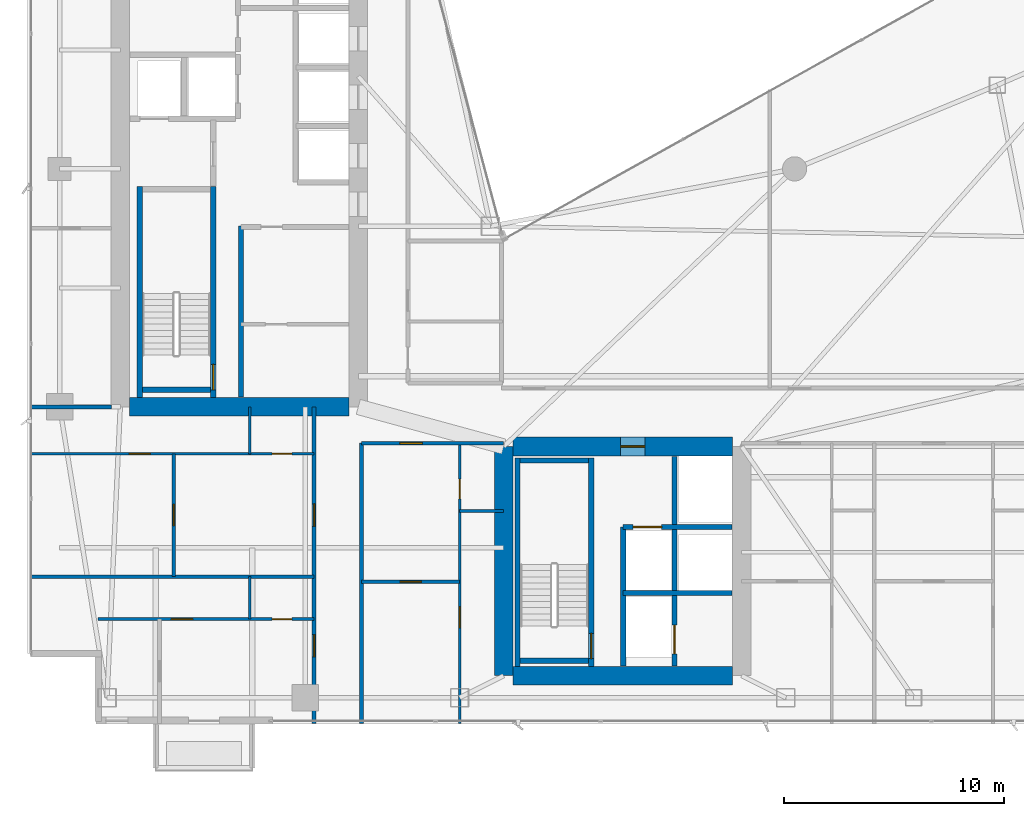
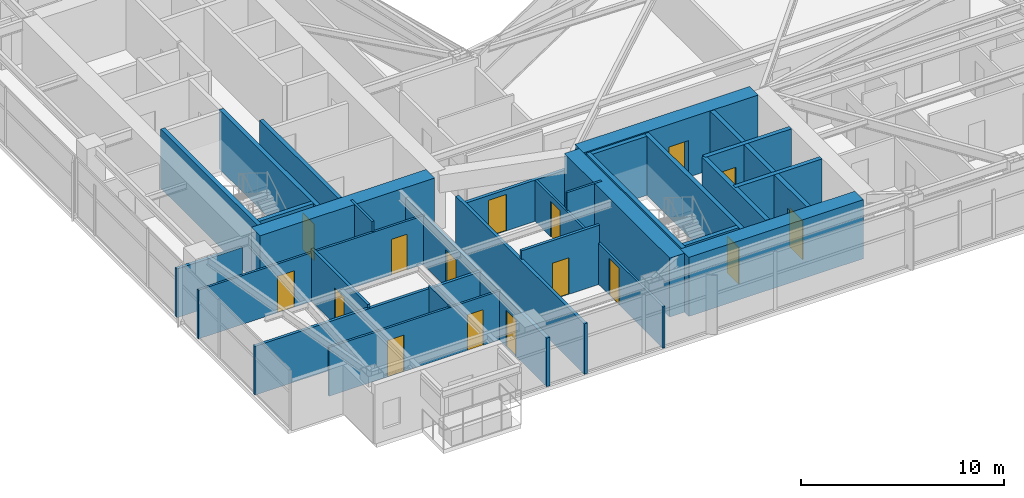
# One storey, part 22 of 28: 29 walls, 16 doors, 16 openings.
"""IFC4 building model written with IfcOpenShell, lengths in metres."""

from ifc_helpers import new_model, si_unit, direction, frame, frame_2d, origin, place, context, subcontext, project, spatial, rectangle, extrude, material, layer, layer_set, type_object, element, fill, save


model = new_model("IFC4")

# Units and contexts
model_context = context("Model", 3, precision=1e-05, world=origin(), true_north=direction((0.0, 1.0)))
body_context = subcontext(model_context, "Body", "Model", "MODEL_VIEW")
ifc_project = project(units=[si_unit("LENGTHUNIT", "METRE"), si_unit("AREAUNIT", "SQUARE_METRE"), si_unit("VOLUMEUNIT", "CUBIC_METRE"), si_unit("PLANEANGLEUNIT", "RADIAN"), si_unit("MASSUNIT", "GRAM", prefix="KILO")], contexts=[model_context])

# Site, building, storey
site_placement = place(None, origin())
site = spatial("IfcSite", under=ifc_project, at=site_placement, CompositionType="ELEMENT")
building_placement = place(site_placement, origin())
building = spatial("IfcBuilding", under=site, at=building_placement, Name="Calvorn Quay Hotel", CompositionType="ELEMENT")
storey_placement = place(building_placement, frame((0.0, 0.0, 152.300048828125)))
storey = spatial("IfcBuildingStorey", under=building, at=storey_placement, Name="L37", CompositionType="ELEMENT", Elevation=152.300048828125)

# Walls
ifc_material_1 = material(Name="Concrete C50", Category="concrete")
ifc_layer_1 = layer(ifc_material_1, 0.85009765625)
ifc_layer_set_1 = layer_set([ifc_layer_1], Name="WL-CORE-850")
wall_type_1 = type_object("IfcWallType", Name="WL-CORE-850", PredefinedType="SHEAR", material=ifc_layer_set_1)
wall_1_placement = place(storey_placement, frame((4.625, 16.800048828125, 0.0), z_axis=(0.0, 0.0, 1.0), x_axis=(1.0, 0.0, 0.0)))
element("IfcWall", 1, at=wall_1_placement, inside=storey, type_object=wall_type_1, Name="West Core Shear Wall S (L37)", PredefinedType="SHEAR", context=body_context, shape_type="SweptSolid", body=[
    extrude(rectangle(XDim=9.949951171875, YDim=0.85009765625, at=frame_2d((4.97509765625, 0.0))), origin(), (0.0, 0.0, 1.0), 3.56005859375),
])
wall_2_placement = place(storey_placement, frame((21.60009765625, 4.60009765625, 0.0), z_axis=(0.0, 0.0, 1.0), x_axis=(0.0, 1.0, 0.0)))
element("IfcWall", 2, at=wall_2_placement, inside=storey, type_object=wall_type_1, Name="East Core Shear Wall W (L37)", PredefinedType="SHEAR", context=body_context, shape_type="SweptSolid", body=[
    extrude(rectangle(XDim=10.39990234375, YDim=0.85009765625, at=frame_2d((5.199951171875, 0.0))), origin(), (0.0, 0.0, 1.0), 3.56005859375),
])

# Wall, opening, door
wall_3_placement = place(storey_placement, frame((22.02490234375, 15.0, 0.0), z_axis=(0.0, 0.0, 1.0), x_axis=(1.0, 0.0, 0.0)))
wall_3 = element("IfcWall", 3, at=wall_3_placement, inside=storey, type_object=wall_type_1, Name="East Core Shear Wall N (L37)", PredefinedType="SHEAR", context=body_context, shape_type="SweptSolid", body=[
    extrude(rectangle(XDim=9.9501953125, YDim=0.85009765625, at=frame_2d((4.97509765625, 0.0))), origin(), (0.0, 0.0, 1.0), 3.56005859375),
])
opening_1_placement = place(wall_3_placement, frame((4.8798828125, 0.0, 0.0)))
opening_1 = element("IfcOpeningElement", 4, at=opening_1_placement, cuts=wall_3, Name="Opening D-L37-FLE", PredefinedType="OPENING", context=body_context, shape_type="SweptSolid", body=[
    extrude(rectangle(XDim=1.10009765625, YDim=2.199951171875, at=frame_2d((0.550048828125, 1.10009765625))), frame((0.0, 0.43505859375, 0.0), z_axis=(0.0, -1.0, 0.0), x_axis=(1.0, 0.0, 0.0)), (0.0, 0.0, 1.0), 0.8701171875),
])
ifc_material_2 = material(Name="Smoke-Sealed Steel Class A Fire Door", Category="steel")
door_type_1 = type_object("IfcDoorType", Name="DR-FFLOBBY-1100", OperationType="NOTDEFINED", PredefinedType="DOOR", material=ifc_material_2)
door_1_placement = place(opening_1_placement, origin())
door_1 = element("IfcDoor", 5, at=door_1_placement, inside=storey, type_object=door_type_1, Name="East Firefighting Lobby Fire Door (L37)", OperationType="SINGLE_SWING_LEFT", OverallHeight=2.199951171875, OverallWidth=1.10009765625, PredefinedType="DOOR", context=body_context, shape_type="SweptSolid", body=[
    extrude(rectangle(XDim=1.10009765625, YDim=2.199951171875, at=frame_2d((0.550048828125, 1.10009765625))), frame((0.0, 0.02490234375, 0.0), z_axis=(0.0, -1.0, 0.0), x_axis=(1.0, 0.0, 0.0)), (0.0, 0.0, 1.0), 0.050048828125),
])
fill(opening_1, door_1)

# Walls
wall_4_placement = place(storey_placement, frame((22.02490234375, 4.60009765625, 0.0), z_axis=(0.0, 0.0, 1.0), x_axis=(1.0, 0.0, 0.0)))
element("IfcWall", 6, at=wall_4_placement, inside=storey, type_object=wall_type_1, Name="East Core Shear Wall S (L37)", PredefinedType="SHEAR", context=body_context, shape_type="SweptSolid", body=[
    extrude(rectangle(XDim=9.9501953125, YDim=0.85009765625, at=frame_2d((4.97509765625, 0.0))), origin(), (0.0, 0.0, 1.0), 3.56005859375),
])
ifc_material_3 = material(Name="Acoustic Fireboard Steel-Stud Partition", Category="steel")
ifc_layer_2 = layer(ifc_material_3, 0.179931640625)
ifc_layer_set_2 = layer_set([ifc_layer_2], Name="WL-CORR-FIRE-180")
wall_type_2 = type_object("IfcWallType", Name="WL-CORR-FIRE-180", PredefinedType="PARTITIONING", material=ifc_layer_set_2)
wall_5_placement = place(storey_placement, frame((0.080078125, 16.800048828125, 0.0), z_axis=(0.0, 0.0, 1.0), x_axis=(1.0, 0.0, 0.0)))
element("IfcWall", 7, at=wall_5_placement, inside=storey, type_object=wall_type_2, Name="Partition Wall L37-WL-WBAY-S-WALL", PredefinedType="PARTITIONING", context=body_context, shape_type="SweptSolid", body=[
    extrude(rectangle(XDim=3.724853515625, YDim=0.179931640625, at=frame_2d((1.8623046875, 0.0))), origin(), (0.0, 0.0, 1.0), 2.93994140625),
])

# Wall, openings, doors
wall_6_placement = place(storey_placement, frame((13.0, 2.43994140625, 0.0), z_axis=(0.0, 0.0, 1.0), x_axis=(0.0, 1.0, 0.0)))
wall_6 = element("IfcWall", 8, at=wall_6_placement, inside=storey, type_object=wall_type_2, Name="Partition Wall L37-WL-CORR-SW-LEG-W", PredefinedType="PARTITIONING", context=body_context, shape_type="SweptSolid", body=[
    extrude(rectangle(XDim=14.360107421875, YDim=0.179931640625, at=frame_2d((7.18017578125, 0.0))), origin(), (0.0, 0.0, 1.0), 2.93994140625),
])
opening_2_placement = place(wall_6_placement, frame((3.010009765625, 0.0, 0.0)))
opening_2 = element("IfcOpeningElement", 9, at=opening_2_placement, cuts=wall_6, Name="Opening D-L37-U01", PredefinedType="OPENING", context=body_context, shape_type="SweptSolid", body=[
    extrude(rectangle(XDim=1.02001953125, YDim=2.199951171875, at=frame_2d((0.510009765625, 1.10009765625))), frame((0.0, 0.099853515625, 0.0), z_axis=(0.0, -1.0, 0.0), x_axis=(1.0, 0.0, 0.0)), (0.0, 0.0, 1.0), 0.199951171875),
])
opening_3_placement = place(wall_6_placement, frame((8.93994140625, 0.0, 0.0)))
opening_3 = element("IfcOpeningElement", 10, at=opening_3_placement, cuts=wall_6, Name="Opening D-L37-U02", PredefinedType="OPENING", context=body_context, shape_type="SweptSolid", body=[
    extrude(rectangle(XDim=1.02001953125, YDim=2.199951171875, at=frame_2d((0.510009765625, 1.10009765625))), frame((0.0, 0.099853515625, 0.0), z_axis=(0.0, -1.0, 0.0), x_axis=(1.0, 0.0, 0.0)), (0.0, 0.0, 1.0), 0.199951171875),
])
ifc_material_4 = material(Name="Solid-Core Walnut Veneer Hotel Fire Door")
door_type_2 = type_object("IfcDoorType", Name="DR-GUEST-ENTRY-1020", OperationType="NOTDEFINED", PredefinedType="DOOR", material=ifc_material_4)
door_2_placement = place(opening_2_placement, origin())
door_2 = element("IfcDoor", 11, at=door_2_placement, inside=storey, type_object=door_type_2, Name="South-West Unit Door U01 (L37)", OperationType="SINGLE_SWING_LEFT", OverallHeight=2.199951171875, OverallWidth=1.02001953125, PredefinedType="DOOR", context=body_context, shape_type="SweptSolid", body=[
    extrude(rectangle(XDim=1.02001953125, YDim=2.199951171875, at=frame_2d((0.510009765625, 1.10009765625))), frame((0.0, 0.02490234375, 0.0), z_axis=(0.0, -1.0, 0.0), x_axis=(1.0, 0.0, 0.0)), (0.0, 0.0, 1.0), 0.050048828125),
])
fill(opening_2, door_2)
door_3_placement = place(opening_3_placement, origin())
door_3 = element("IfcDoor", 12, at=door_3_placement, inside=storey, type_object=door_type_2, Name="South-West Unit Door U02 (L37)", OperationType="SINGLE_SWING_RIGHT", OverallHeight=2.199951171875, OverallWidth=1.02001953125, PredefinedType="DOOR", context=body_context, shape_type="SweptSolid", body=[
    extrude(rectangle(XDim=1.02001953125, YDim=2.199951171875, at=frame_2d((0.510009765625, 1.10009765625))), frame((0.0, 0.02490234375, 0.0), z_axis=(0.0, -1.0, 0.0), x_axis=(1.0, 0.0, 0.0)), (0.0, 0.0, 1.0), 0.050048828125),
])
fill(opening_3, door_3)

# Wall
wall_7_placement = place(storey_placement, frame((15.14990234375, 2.43994140625, 0.0), z_axis=(0.0, 0.0, 1.0), x_axis=(0.0, 1.0, 0.0)))
element("IfcWall", 13, at=wall_7_placement, inside=storey, type_object=wall_type_2, Name="Partition Wall L37-WL-CORR-SW-W", PredefinedType="PARTITIONING", context=body_context, shape_type="SweptSolid", body=[
    extrude(rectangle(XDim=12.7099609375, YDim=0.179931640625, at=frame_2d((6.35498046875, 0.0))), origin(), (0.0, 0.0, 1.0), 3.0400390625),
])

# Wall, opening, door
wall_8_placement = place(storey_placement, frame((15.14990234375, 15.14990234375, 0.0), z_axis=(0.0, 0.0, 1.0), x_axis=(1.0, 0.0, 0.0)))
wall_8 = element("IfcWall", 14, at=wall_8_placement, inside=storey, type_object=wall_type_2, Name="Partition Wall L37-WL-SC-CORR-S", PredefinedType="PARTITIONING", context=body_context, shape_type="SweptSolid", body=[
    extrude(rectangle(XDim=6.4501953125, YDim=0.179931640625, at=frame_2d((3.22509765625, 0.0))), origin(), (0.0, 0.0, 1.0), 2.489990234375),
])
opening_4_placement = place(wall_8_placement, frame((1.739990234375, 0.0, 0.0)))
opening_4 = element("IfcOpeningElement", 15, at=opening_4_placement, cuts=wall_8, Name="Opening D-L37-U03", PredefinedType="OPENING", context=body_context, shape_type="SweptSolid", body=[
    extrude(rectangle(XDim=1.02001953125, YDim=2.199951171875, at=frame_2d((0.510009765625, 1.10009765625))), frame((0.0, 0.099853515625, 0.0), z_axis=(0.0, -1.0, 0.0), x_axis=(1.0, 0.0, 0.0)), (0.0, 0.0, 1.0), 0.199951171875),
])
door_4_placement = place(opening_4_placement, origin())
door_4 = element("IfcDoor", 16, at=door_4_placement, inside=storey, type_object=door_type_2, Name="Harbour Central Unit Door (L37)", OperationType="SINGLE_SWING_LEFT", OverallHeight=2.199951171875, OverallWidth=1.02001953125, PredefinedType="DOOR", context=body_context, shape_type="SweptSolid", body=[
    extrude(rectangle(XDim=1.02001953125, YDim=2.199951171875, at=frame_2d((0.510009765625, 1.10009765625))), frame((0.0, 0.02490234375, 0.0), z_axis=(0.0, -1.0, 0.0), x_axis=(1.0, 0.0, 0.0)), (0.0, 0.0, 1.0), 0.050048828125),
])
fill(opening_4, door_4)

# Wall
ifc_material_5 = material(Name="Moisture-Resistant Tile-Backed Partition")
ifc_layer_3 = layer(ifc_material_5, 0.125)
ifc_layer_set_3 = layer_set([ifc_layer_3], Name="WL-ENSUITE-125")
wall_type_3 = type_object("IfcWallType", Name="WL-ENSUITE-125", PredefinedType="PARTITIONING", material=ifc_layer_set_3)
wall_9_placement = place(storey_placement, frame((10.080078125, 7.169921875, 0.0), z_axis=(0.0, 0.0, 1.0), x_axis=(0.0, 1.0, 0.0)))
element("IfcWall", 17, at=wall_9_placement, inside=storey, type_object=wall_type_3, Name="Partition Wall L37-WL-U01-BDV", PredefinedType="PARTITIONING", context=body_context, shape_type="SweptSolid", body=[
    extrude(rectangle(XDim=1.93017578125, YDim=0.125, at=frame_2d((0.965087890625, 0.0))), origin(), (0.0, 0.0, 1.0), 3.08984375),
])

# Wall, openings, doors
wall_10_placement = place(storey_placement, frame((3.199951171875, 7.169921875, 0.0), z_axis=(0.0, 0.0, 1.0), x_axis=(1.0, 0.0, 0.0)))
wall_10 = element("IfcWall", 18, at=wall_10_placement, inside=storey, type_object=wall_type_3, Name="Partition Wall L37-WL-U01-BH", PredefinedType="PARTITIONING", context=body_context, shape_type="SweptSolid", body=[
    extrude(rectangle(XDim=9.800048828125, YDim=0.125, at=frame_2d((4.89990234375, 0.0))), origin(), (0.0, 0.0, 1.0), 2.93994140625),
])
opening_5_placement = place(wall_10_placement, frame((3.320068359375, 0.0, 0.0)))
opening_5 = element("IfcOpeningElement", 19, at=opening_5_placement, cuts=wall_10, Name="Opening D-L37-S01", PredefinedType="OPENING", context=body_context, shape_type="SweptSolid", body=[
    extrude(rectangle(XDim=0.9599609375, YDim=2.199951171875, at=frame_2d((0.47998046875, 1.10009765625))), frame((0.0, 0.072509765625, 0.0), z_axis=(0.0, -1.0, 0.0), x_axis=(1.0, 0.0, 0.0)), (0.0, 0.0, 1.0), 0.14501953125),
])
opening_6_placement = place(wall_10_placement, frame((7.889892578125, 0.0, 0.0)))
opening_6 = element("IfcOpeningElement", 20, at=opening_6_placement, cuts=wall_10, Name="Opening D-L37-E01", PredefinedType="OPENING", context=body_context, shape_type="SweptSolid", body=[
    extrude(rectangle(XDim=0.89990234375, YDim=2.14990234375, at=frame_2d((0.449951171875, 1.074951171875))), frame((0.0, 0.072509765625, 0.0), z_axis=(0.0, -1.0, 0.0), x_axis=(1.0, 0.0, 0.0)), (0.0, 0.0, 1.0), 0.14501953125),
])
ifc_material_6 = material(Name="Moisture-Sealed Timber En-Suite Door", Category="wood")
door_type_3 = type_object("IfcDoorType", Name="DR-ENSUITE-900", OperationType="NOTDEFINED", PredefinedType="DOOR", material=ifc_material_6)
door_5_placement = place(opening_6_placement, origin())
door_5 = element("IfcDoor", 21, at=door_5_placement, inside=storey, type_object=door_type_3, Name="En-Suite Door 01", OperationType="SINGLE_SWING_RIGHT", OverallHeight=2.14990234375, OverallWidth=0.89990234375, PredefinedType="DOOR", context=body_context, shape_type="SweptSolid", body=[
    extrude(rectangle(XDim=0.89990234375, YDim=2.14990234375, at=frame_2d((0.449951171875, 1.074951171875))), frame((0.0, 0.02490234375, 0.0), z_axis=(0.0, -1.0, 0.0), x_axis=(1.0, 0.0, 0.0)), (0.0, 0.0, 1.0), 0.050048828125),
])
fill(opening_6, door_5)
ifc_material_7 = material(Name="Solid Timber Internal Suite Door", Category="wood")
door_type_4 = type_object("IfcDoorType", Name="DR-SUITE-INT-960", OperationType="NOTDEFINED", PredefinedType="DOOR", material=ifc_material_7)
door_6_placement = place(opening_5_placement, origin())
door_6 = element("IfcDoor", 22, at=door_6_placement, inside=storey, type_object=door_type_4, Name="Spa Therapy Room Door 01", OperationType="SINGLE_SWING_LEFT", OverallHeight=2.199951171875, OverallWidth=0.9599609375, PredefinedType="DOOR", context=body_context, shape_type="SweptSolid", body=[
    extrude(rectangle(XDim=0.9599609375, YDim=2.199951171875, at=frame_2d((0.47998046875, 1.10009765625))), frame((0.0, 0.02490234375, 0.0), z_axis=(0.0, -1.0, 0.0), x_axis=(1.0, 0.0, 0.0)), (0.0, 0.0, 1.0), 0.050048828125),
])
fill(opening_5, door_6)

# Wall
wall_11_placement = place(storey_placement, frame((10.080078125, 14.669921875, 0.0), z_axis=(0.0, 0.0, 1.0), x_axis=(0.0, 1.0, 0.0)))
element("IfcWall", 23, at=wall_11_placement, inside=storey, type_object=wall_type_3, Name="Partition Wall L37-WL-U02-BDV", PredefinedType="PARTITIONING", context=body_context, shape_type="SweptSolid", body=[
    extrude(rectangle(XDim=2.130126953125, YDim=0.125, at=frame_2d((1.06494140625, 0.0))), origin(), (0.0, 0.0, 1.0), 3.56005859375),
])

# Wall, openings, doors
wall_12_placement = place(storey_placement, frame((0.080078125, 14.669921875, 0.0), z_axis=(0.0, 0.0, 1.0), x_axis=(1.0, 0.0, 0.0)))
wall_12 = element("IfcWall", 24, at=wall_12_placement, inside=storey, type_object=wall_type_3, Name="Partition Wall L37-WL-U02-BH", PredefinedType="PARTITIONING", context=body_context, shape_type="SweptSolid", body=[
    extrude(rectangle(XDim=12.919921875, YDim=0.125, at=frame_2d((6.4599609375, 0.0))), origin(), (0.0, 0.0, 1.0), 2.93994140625),
])
opening_7_placement = place(wall_12_placement, frame((4.52001953125, 0.0, 0.0)))
opening_7 = element("IfcOpeningElement", 25, at=opening_7_placement, cuts=wall_12, Name="Opening D-L37-S02", PredefinedType="OPENING", context=body_context, shape_type="SweptSolid", body=[
    extrude(rectangle(XDim=0.9599609375, YDim=2.199951171875, at=frame_2d((0.47998046875, 1.10009765625))), frame((0.0, 0.072509765625, 0.0), z_axis=(0.0, -1.0, 0.0), x_axis=(1.0, 0.0, 0.0)), (0.0, 0.0, 1.0), 0.14501953125),
])
opening_8_placement = place(wall_12_placement, frame((11.010009765625, 0.0, 0.0)))
opening_8 = element("IfcOpeningElement", 26, at=opening_8_placement, cuts=wall_12, Name="Opening D-L37-E02", PredefinedType="OPENING", context=body_context, shape_type="SweptSolid", body=[
    extrude(rectangle(XDim=0.89990234375, YDim=2.14990234375, at=frame_2d((0.449951171875, 1.074951171875))), frame((0.0, 0.072509765625, 0.0), z_axis=(0.0, -1.0, 0.0), x_axis=(1.0, 0.0, 0.0)), (0.0, 0.0, 1.0), 0.14501953125),
])
door_7_placement = place(opening_8_placement, origin())
door_7 = element("IfcDoor", 27, at=door_7_placement, inside=storey, type_object=door_type_3, Name="En-Suite Door 02", OperationType="SINGLE_SWING_RIGHT", OverallHeight=2.14990234375, OverallWidth=0.89990234375, PredefinedType="DOOR", context=body_context, shape_type="SweptSolid", body=[
    extrude(rectangle(XDim=0.89990234375, YDim=2.14990234375, at=frame_2d((0.449951171875, 1.074951171875))), frame((0.0, 0.02490234375, 0.0), z_axis=(0.0, -1.0, 0.0), x_axis=(1.0, 0.0, 0.0)), (0.0, 0.0, 1.0), 0.050048828125),
])
fill(opening_8, door_7)
door_8_placement = place(opening_7_placement, origin())
door_8 = element("IfcDoor", 28, at=door_8_placement, inside=storey, type_object=door_type_4, Name="Spa Therapy Room Door 02", OperationType="SINGLE_SWING_LEFT", OverallHeight=2.199951171875, OverallWidth=0.9599609375, PredefinedType="DOOR", context=body_context, shape_type="SweptSolid", body=[
    extrude(rectangle(XDim=0.9599609375, YDim=2.199951171875, at=frame_2d((0.47998046875, 1.10009765625))), frame((0.0, 0.02490234375, 0.0), z_axis=(0.0, -1.0, 0.0), x_axis=(1.0, 0.0, 0.0)), (0.0, 0.0, 1.0), 0.050048828125),
])
fill(opening_7, door_8)

# Wall
wall_13_placement = place(storey_placement, frame((19.60009765625, 12.070068359375, 0.0), z_axis=(0.0, 0.0, 1.0), x_axis=(1.0, 0.0, 0.0)))
element("IfcWall", 29, at=wall_13_placement, inside=storey, type_object=wall_type_3, Name="Partition Wall L37-WL-U03-BDV", PredefinedType="PARTITIONING", context=body_context, shape_type="SweptSolid", body=[
    extrude(rectangle(XDim=2.0, YDim=0.125, at=frame_2d((1.0, 0.0))), origin(), (0.0, 0.0, 1.0), 3.56005859375),
])

# Wall, openings, doors
wall_14_placement = place(storey_placement, frame((19.60009765625, 2.43994140625, 0.0), z_axis=(0.0, 0.0, 1.0), x_axis=(0.0, 1.0, 0.0)))
wall_14 = element("IfcWall", 30, at=wall_14_placement, inside=storey, type_object=wall_type_3, Name="Partition Wall L37-WL-U03-BV", PredefinedType="PARTITIONING", context=body_context, shape_type="SweptSolid", body=[
    extrude(rectangle(XDim=12.7099609375, YDim=0.125, at=frame_2d((6.35498046875, 0.0))), origin(), (0.0, 0.0, 1.0), 2.489990234375),
])
opening_9_placement = place(wall_14_placement, frame((4.340087890625, 0.0, 0.0)))
opening_9 = element("IfcOpeningElement", 31, at=opening_9_placement, cuts=wall_14, Name="Opening D-L37-S03", PredefinedType="OPENING", context=body_context, shape_type="SweptSolid", body=[
    extrude(rectangle(XDim=0.9599609375, YDim=2.199951171875, at=frame_2d((0.47998046875, 1.10009765625))), frame((0.0, 0.072509765625, 0.0), z_axis=(0.0, -1.0, 0.0), x_axis=(1.0, 0.0, 0.0)), (0.0, 0.0, 1.0), 0.14501953125),
])
opening_10_placement = place(wall_14_placement, frame((10.179931640625, 0.0, 0.0)))
opening_10 = element("IfcOpeningElement", 32, at=opening_10_placement, cuts=wall_14, Name="Opening D-L37-E03", PredefinedType="OPENING", context=body_context, shape_type="SweptSolid", body=[
    extrude(rectangle(XDim=0.89990234375, YDim=2.14990234375, at=frame_2d((0.449951171875, 1.074951171875))), frame((0.0, 0.072509765625, 0.0), z_axis=(0.0, -1.0, 0.0), x_axis=(1.0, 0.0, 0.0)), (0.0, 0.0, 1.0), 0.14501953125),
])
door_9_placement = place(opening_10_placement, origin())
door_9 = element("IfcDoor", 33, at=door_9_placement, inside=storey, type_object=door_type_3, Name="En-Suite Door 03", OperationType="SINGLE_SWING_RIGHT", OverallHeight=2.14990234375, OverallWidth=0.89990234375, PredefinedType="DOOR", context=body_context, shape_type="SweptSolid", body=[
    extrude(rectangle(XDim=0.89990234375, YDim=2.14990234375, at=frame_2d((0.449951171875, 1.074951171875))), frame((0.0, 0.02490234375, 0.0), z_axis=(0.0, -1.0, 0.0), x_axis=(1.0, 0.0, 0.0)), (0.0, 0.0, 1.0), 0.050048828125),
])
fill(opening_10, door_9)
door_10_placement = place(opening_9_placement, origin())
door_10 = element("IfcDoor", 34, at=door_10_placement, inside=storey, type_object=door_type_4, Name="Spa Therapy Room Door 03", OperationType="SINGLE_SWING_LEFT", OverallHeight=2.199951171875, OverallWidth=0.9599609375, PredefinedType="DOOR", context=body_context, shape_type="SweptSolid", body=[
    extrude(rectangle(XDim=0.9599609375, YDim=2.199951171875, at=frame_2d((0.47998046875, 1.10009765625))), frame((0.0, 0.02490234375, 0.0), z_axis=(0.0, -1.0, 0.0), x_axis=(1.0, 0.0, 0.0)), (0.0, 0.0, 1.0), 0.050048828125),
])
fill(opening_9, door_10)

# Wall, opening, door
ifc_material_8 = material(Name="Double-Stud Acoustic Gypsum Partition")
ifc_layer_4 = layer(ifc_material_8, 0.159912109375)
ifc_layer_set_4 = layer_set([ifc_layer_4], Name="WL-INTERSUITE-160")
wall_type_4 = type_object("IfcWallType", Name="WL-INTERSUITE-160", PredefinedType="PARTITIONING", material=ifc_layer_set_4)
wall_15_placement = place(storey_placement, frame((6.6201171875, 9.10009765625, 0.0), z_axis=(0.0, 0.0, 1.0), x_axis=(0.0, 1.0, 0.0)))
wall_15 = element("IfcWall", 35, at=wall_15_placement, inside=storey, type_object=wall_type_4, Name="Partition Wall L37-WL-U02-MSP", PredefinedType="PARTITIONING", context=body_context, shape_type="SweptSolid", body=[
    extrude(rectangle(XDim=5.56982421875, YDim=0.159912109375, at=frame_2d((2.784912109375, 0.0))), origin(), (0.0, 0.0, 1.0), 3.139892578125),
])
opening_11_placement = place(wall_15_placement, frame((2.31005859375, 0.0, 0.0)))
opening_11 = element("IfcOpeningElement", 36, at=opening_11_placement, cuts=wall_15, Name="Opening D-L37-M02", PredefinedType="OPENING", context=body_context, shape_type="SweptSolid", body=[
    extrude(rectangle(XDim=0.9599609375, YDim=2.199951171875, at=frame_2d((0.47998046875, 1.10009765625))), frame((0.0, 0.08984375, 0.0), z_axis=(0.0, -1.0, 0.0), x_axis=(1.0, 0.0, 0.0)), (0.0, 0.0, 1.0), 0.179931640625),
])
door_11_placement = place(opening_11_placement, origin())
door_11 = element("IfcDoor", 37, at=door_11_placement, inside=storey, type_object=door_type_4, Name="Suite Bedroom Door 02", OperationType="SINGLE_SWING_LEFT", OverallHeight=2.199951171875, OverallWidth=0.9599609375, PredefinedType="DOOR", context=body_context, shape_type="SweptSolid", body=[
    extrude(rectangle(XDim=0.9599609375, YDim=2.199951171875, at=frame_2d((0.47998046875, 1.10009765625))), frame((0.0, 0.02490234375, 0.0), z_axis=(0.0, -1.0, 0.0), x_axis=(1.0, 0.0, 0.0)), (0.0, 0.0, 1.0), 0.050048828125),
])
fill(opening_11, door_11)

# Wall
wall_16_placement = place(storey_placement, frame((0.080078125, 9.10009765625, 0.0), z_axis=(0.0, 0.0, 1.0), x_axis=(1.0, 0.0, 0.0)))
element("IfcWall", 38, at=wall_16_placement, inside=storey, type_object=wall_type_4, Name="Partition Wall L37-WL-SW-DIV-1", PredefinedType="PARTITIONING", context=body_context, shape_type="SweptSolid", body=[
    extrude(rectangle(XDim=12.919921875, YDim=0.159912109375, at=frame_2d((6.4599609375, 0.0))), origin(), (0.0, 0.0, 1.0), 2.93994140625),
])

# Wall, opening, door
wall_17_placement = place(storey_placement, frame((15.14990234375, 8.8701171875, 0.0), z_axis=(0.0, 0.0, 1.0), x_axis=(1.0, 0.0, 0.0)))
wall_17 = element("IfcWall", 39, at=wall_17_placement, inside=storey, type_object=wall_type_4, Name="Partition Wall L37-WL-U03-MSP", PredefinedType="PARTITIONING", context=body_context, shape_type="SweptSolid", body=[
    extrude(rectangle(XDim=4.4501953125, YDim=0.159912109375, at=frame_2d((2.22509765625, 0.0))), origin(), (0.0, 0.0, 1.0), 3.56005859375),
])
opening_12_placement = place(wall_17_placement, frame((1.75, 0.0, 0.0)))
opening_12 = element("IfcOpeningElement", 40, at=opening_12_placement, cuts=wall_17, Name="Opening D-L37-M03", PredefinedType="OPENING", context=body_context, shape_type="SweptSolid", body=[
    extrude(rectangle(XDim=0.9599609375, YDim=2.199951171875, at=frame_2d((0.47998046875, 1.10009765625))), frame((0.0, 0.08984375, 0.0), z_axis=(0.0, -1.0, 0.0), x_axis=(1.0, 0.0, 0.0)), (0.0, 0.0, 1.0), 0.179931640625),
])
door_12_placement = place(opening_12_placement, origin())
door_12 = element("IfcDoor", 41, at=door_12_placement, inside=storey, type_object=door_type_4, Name="Suite Bedroom Door 03", OperationType="SINGLE_SWING_LEFT", OverallHeight=2.199951171875, OverallWidth=0.9599609375, PredefinedType="DOOR", context=body_context, shape_type="SweptSolid", body=[
    extrude(rectangle(XDim=0.9599609375, YDim=2.199951171875, at=frame_2d((0.47998046875, 1.10009765625))), frame((0.0, 0.02490234375, 0.0), z_axis=(0.0, -1.0, 0.0), x_axis=(1.0, 0.0, 0.0)), (0.0, 0.0, 1.0), 0.050048828125),
])
fill(opening_12, door_12)

# Walls
ifc_material_9 = material(Name="Autoclaved Aerated Masonry Block", Category="masonry")
ifc_layer_5 = layer(ifc_material_9, 0.219970703125)
ifc_layer_set_5 = layer_set([ifc_layer_5], Name="WL-LOBBY-FIRE-220")
wall_type_5 = type_object("IfcWallType", Name="WL-LOBBY-FIRE-220", PredefinedType="SOLIDWALL", material=ifc_layer_set_5)
wall_18_placement = place(storey_placement, frame((9.679931640625, 17.2451171875, 0.0), z_axis=(0.0, 0.0, 1.0), x_axis=(0.0, 1.0, 0.0)))
element("IfcWall", 42, at=wall_18_placement, inside=storey, type_object=wall_type_5, Name="Partition Wall L37-WL-CWW-STW-HALL-E", PredefinedType="SOLIDWALL", context=body_context, shape_type="SweptSolid", body=[
    extrude(rectangle(XDim=7.7548828125, YDim=0.219970703125, at=frame_2d((3.87744140625, 0.0))), origin(), (0.0, 0.0, 1.0), 3.56005859375),
])
ifc_material_10 = material(Name="Concrete C40", Category="concrete")
ifc_layer_6 = layer(ifc_material_10, 0.239990234375)
ifc_layer_set_6 = layer_set([ifc_layer_6], Name="WL-SHAFT-240")
wall_type_6 = type_object("IfcWallType", Name="WL-SHAFT-240", PredefinedType="SOLIDWALL", material=ifc_layer_set_6)
wall_19_placement = place(storey_placement, frame((5.080078125, 17.22509765625, 0.0), z_axis=(0.0, 0.0, 1.0), x_axis=(0.0, 1.0, 0.0)))
element("IfcWall", 43, at=wall_19_placement, inside=storey, type_object=wall_type_6, Name="Stair STW Shaft Wall W (L37)", PredefinedType="SOLIDWALL", context=body_context, shape_type="SweptSolid", body=[
    extrude(rectangle(XDim=9.56494140625, YDim=0.239990234375, at=frame_2d((4.782470703125, 0.0))), origin(), (0.0, 0.0, 1.0), 3.56005859375),
])

# Wall, opening, door
wall_20_placement = place(storey_placement, frame((8.419921875, 17.22509765625, 0.0), z_axis=(0.0, 0.0, 1.0), x_axis=(0.0, 1.0, 0.0)))
wall_20 = element("IfcWall", 44, at=wall_20_placement, inside=storey, type_object=wall_type_6, Name="Stair STW Shaft Wall E (L37)", PredefinedType="SOLIDWALL", context=body_context, shape_type="SweptSolid", body=[
    extrude(rectangle(XDim=9.56494140625, YDim=0.239990234375, at=frame_2d((4.782470703125, 0.0))), origin(), (0.0, 0.0, 1.0), 3.56005859375),
])
opening_13_placement = place(wall_20_placement, frame((0.35009765625, 0.0, 0.0)))
opening_13 = element("IfcOpeningElement", 45, at=opening_13_placement, cuts=wall_20, Name="Opening D-L37-STW", PredefinedType="OPENING", context=body_context, shape_type="SweptSolid", body=[
    extrude(rectangle(XDim=1.14990234375, YDim=2.199951171875, at=frame_2d((0.574951171875, 1.10009765625))), frame((0.0, 0.1298828125, 0.0), z_axis=(0.0, -1.0, 0.0), x_axis=(1.0, 0.0, 0.0)), (0.0, 0.0, 1.0), 0.260009765625),
])
ifc_material_11 = material(Name="Galvanised Steel Class A Fire Door", Category="steel")
door_type_5 = type_object("IfcDoorType", Name="DR-STAIR-SMOKE-1150", OperationType="NOTDEFINED", PredefinedType="DOOR", material=ifc_material_11)
door_13_placement = place(opening_13_placement, origin())
door_13 = element("IfcDoor", 46, at=door_13_placement, inside=storey, type_object=door_type_5, Name="Stair ST-W Fire Door (L37)", OperationType="SINGLE_SWING_LEFT", OverallHeight=2.199951171875, OverallWidth=1.14990234375, PredefinedType="DOOR", context=body_context, shape_type="SweptSolid", body=[
    extrude(rectangle(XDim=1.14990234375, YDim=2.199951171875, at=frame_2d((0.574951171875, 1.10009765625))), frame((0.0, 0.02490234375, 0.0), z_axis=(0.0, -1.0, 0.0), x_axis=(1.0, 0.0, 0.0)), (0.0, 0.0, 1.0), 0.050048828125),
])
fill(opening_13, door_13)

# Walls
wall_21_placement = place(storey_placement, frame((5.199951171875, 17.580078125, 0.0), z_axis=(0.0, 0.0, 1.0), x_axis=(1.0, 0.0, 0.0)))
element("IfcWall", 47, at=wall_21_placement, inside=storey, type_object=wall_type_6, Name="Stair STW Shaft Wall S (L37)", PredefinedType="SOLIDWALL", context=body_context, shape_type="SweptSolid", body=[
    extrude(rectangle(XDim=3.10009765625, YDim=0.239990234375, at=frame_2d((1.550048828125, 0.0))), origin(), (0.0, 0.0, 1.0), 3.56005859375),
])
wall_22_placement = place(storey_placement, frame((22.22998046875, 5.02490234375, 0.0), z_axis=(0.0, 0.0, 1.0), x_axis=(0.0, 1.0, 0.0)))
element("IfcWall", 48, at=wall_22_placement, inside=storey, type_object=wall_type_6, Name="Stair STE Shaft Wall W (L37)", PredefinedType="SOLIDWALL", context=body_context, shape_type="SweptSolid", body=[
    extrude(rectangle(XDim=9.465087890625, YDim=0.239990234375, at=frame_2d((4.732421875, 0.0))), origin(), (0.0, 0.0, 1.0), 3.56005859375),
])

# Wall, opening, door
wall_23_placement = place(storey_placement, frame((25.570068359375, 5.02490234375, 0.0), z_axis=(0.0, 0.0, 1.0), x_axis=(0.0, 1.0, 0.0)))
wall_23 = element("IfcWall", 49, at=wall_23_placement, inside=storey, type_object=wall_type_6, Name="Stair STE Shaft Wall E (L37)", PredefinedType="SOLIDWALL", context=body_context, shape_type="SweptSolid", body=[
    extrude(rectangle(XDim=9.465087890625, YDim=0.239990234375, at=frame_2d((4.732421875, 0.0))), origin(), (0.0, 0.0, 1.0), 3.56005859375),
])
opening_14_placement = place(wall_23_placement, frame((0.35009765625, 0.0, 0.0)))
opening_14 = element("IfcOpeningElement", 50, at=opening_14_placement, cuts=wall_23, Name="Opening D-L37-STE", PredefinedType="OPENING", context=body_context, shape_type="SweptSolid", body=[
    extrude(rectangle(XDim=1.14990234375, YDim=2.199951171875, at=frame_2d((0.574951171875, 1.10009765625))), frame((0.0, 0.1298828125, 0.0), z_axis=(0.0, -1.0, 0.0), x_axis=(1.0, 0.0, 0.0)), (0.0, 0.0, 1.0), 0.260009765625),
])
door_14_placement = place(opening_14_placement, origin())
door_14 = element("IfcDoor", 51, at=door_14_placement, inside=storey, type_object=door_type_5, Name="Stair ST-E Fire Door (L37)", OperationType="SINGLE_SWING_RIGHT", OverallHeight=2.199951171875, OverallWidth=1.14990234375, PredefinedType="DOOR", context=body_context, shape_type="SweptSolid", body=[
    extrude(rectangle(XDim=1.14990234375, YDim=2.199951171875, at=frame_2d((0.574951171875, 1.10009765625))), frame((0.0, 0.02490234375, 0.0), z_axis=(0.0, -1.0, 0.0), x_axis=(1.0, 0.0, 0.0)), (0.0, 0.0, 1.0), 0.050048828125),
])
fill(opening_14, door_14)

# Walls
for number, where, z_axis, x_axis, name in (
    (52, (22.35009765625, 5.280029296875, 0.0), (0.0, 0.0, 1.0), (1.0, 0.0, 0.0), "Stair STE Shaft Wall S (L37)"),
    (53, (22.35009765625, 14.3701171875, 0.0), (0.0, 0.0, 1.0), (1.0, 0.0, 0.0), "Stair STE Shaft Wall N (L37)"),
):
    element("IfcWall", number, at=place(storey_placement, frame(where, z_axis=z_axis, x_axis=x_axis)), inside=storey, type_object=wall_type_6, Name=name, PredefinedType="SOLIDWALL", context=body_context, shape_type="SweptSolid", body=[
        extrude(rectangle(XDim=3.099853515625, YDim=0.239990234375, at=frame_2d((1.5498046875, 0.0))), origin(), (0.0, 0.0, 1.0), 3.56005859375),
    ])
wall_24_placement = place(storey_placement, frame((27.02001953125, 5.044921875, 0.0), z_axis=(0.0, 0.0, 1.0), x_axis=(0.0, 1.0, 0.0)))
element("IfcWall", 54, at=wall_24_placement, inside=storey, type_object=wall_type_6, Name="Partition Wall L37-WL-CWE-SH-W", PredefinedType="SOLIDWALL", context=body_context, shape_type="SweptSolid", body=[
    extrude(rectangle(XDim=6.30517578125, YDim=0.239990234375, at=frame_2d((3.152587890625, 0.0))), origin(), (0.0, 0.0, 1.0), 3.56005859375),
])

# Wall, opening, door
wall_25_placement = place(storey_placement, frame((27.02001953125, 11.35009765625, 0.0), z_axis=(0.0, 0.0, 1.0), x_axis=(1.0, 0.0, 0.0)))
wall_25 = element("IfcWall", 55, at=wall_25_placement, inside=storey, type_object=wall_type_6, Name="Partition Wall L37-WL-CWE-FFL-S", PredefinedType="SOLIDWALL", context=body_context, shape_type="SweptSolid", body=[
    extrude(rectangle(XDim=4.93505859375, YDim=0.239990234375, at=frame_2d((2.467529296875, 0.0))), origin(), (0.0, 0.0, 1.0), 3.56005859375),
])
opening_15_placement = place(wall_25_placement, frame((0.449951171875, 0.0, 0.0)))
opening_15 = element("IfcOpeningElement", 56, at=opening_15_placement, cuts=wall_25, Name="Opening LD-L37-FLE1", PredefinedType="OPENING", context=body_context, shape_type="SweptSolid", body=[
    extrude(rectangle(XDim=1.300048828125, YDim=2.35009765625, at=frame_2d((0.64990234375, 1.175048828125))), frame((0.0, 0.1298828125, 0.0), z_axis=(0.0, -1.0, 0.0), x_axis=(1.0, 0.0, 0.0)), (0.0, 0.0, 1.0), 0.260009765625),
])
ifc_material_12 = material(Name="Champagne-Bronze Sliding Express Lift Landing Door")
door_type_6 = type_object("IfcDoorType", Name="DR-LIFT-SHUTTLE-1300", OperationType="NOTDEFINED", PredefinedType="DOOR", material=ifc_material_12)
door_15_placement = place(opening_15_placement, origin())
door_15 = element("IfcDoor", 57, at=door_15_placement, inside=storey, type_object=door_type_6, Name="Firefighting Lift FL-E1 Landing Door (L37)", OperationType="DOUBLE_DOOR_SLIDING", OverallHeight=2.35009765625, OverallWidth=1.300048828125, PredefinedType="DOOR", context=body_context, shape_type="SweptSolid", body=[
    extrude(rectangle(XDim=1.300048828125, YDim=2.35009765625, at=frame_2d((0.64990234375, 1.175048828125))), frame((0.0, 0.02490234375, 0.0), z_axis=(0.0, -1.0, 0.0), x_axis=(1.0, 0.0, 0.0)), (0.0, 0.0, 1.0), 0.050048828125),
])
fill(opening_15, door_15)

# Wall
wall_26_placement = place(storey_placement, frame((27.02001953125, 8.35009765625, 0.0), z_axis=(0.0, 0.0, 1.0), x_axis=(1.0, 0.0, 0.0)))
element("IfcWall", 58, at=wall_26_placement, inside=storey, type_object=wall_type_6, Name="Partition Wall L37-WL-CWE-SL-N", PredefinedType="SOLIDWALL", context=body_context, shape_type="SweptSolid", body=[
    extrude(rectangle(XDim=4.93505859375, YDim=0.239990234375, at=frame_2d((2.467529296875, 0.0))), origin(), (0.0, 0.0, 1.0), 3.56005859375),
])

# Wall, opening, door
wall_27_placement = place(storey_placement, frame((29.35009765625, 5.044921875, 0.0), z_axis=(0.0, 0.0, 1.0), x_axis=(0.0, 1.0, 0.0)))
wall_27 = element("IfcWall", 59, at=wall_27_placement, inside=storey, type_object=wall_type_6, Name="Partition Wall L37-WL-CWE-OB-W", PredefinedType="SOLIDWALL", context=body_context, shape_type="SweptSolid", body=[
    extrude(rectangle(XDim=9.510009765625, YDim=0.239990234375, at=frame_2d((4.7548828125, 0.0))), origin(), (0.0, 0.0, 1.0), 3.56005859375),
])
opening_16_placement = place(wall_27_placement, frame((0.550048828125, 0.0, 0.0)))
opening_16 = element("IfcOpeningElement", 60, at=opening_16_placement, cuts=wall_27, Name="Opening LD-L37-SLEI", PredefinedType="OPENING", context=body_context, shape_type="SweptSolid", body=[
    extrude(rectangle(XDim=1.300048828125, YDim=2.35009765625, at=frame_2d((0.64990234375, 1.175048828125))), frame((0.0, 0.1298828125, 0.0), z_axis=(0.0, -1.0, 0.0), x_axis=(1.0, 0.0, 0.0)), (0.0, 0.0, 1.0), 0.260009765625),
])
door_16_placement = place(opening_16_placement, origin())
door_16 = element("IfcDoor", 61, at=door_16_placement, inside=storey, type_object=door_type_6, Name="Service Lift SL-E1 Landing Door (L37)", OperationType="DOUBLE_DOOR_SLIDING", OverallHeight=2.35009765625, OverallWidth=1.300048828125, PredefinedType="DOOR", context=body_context, shape_type="SweptSolid", body=[
    extrude(rectangle(XDim=1.300048828125, YDim=2.35009765625, at=frame_2d((0.64990234375, 1.175048828125))), frame((0.0, 0.02490234375, 0.0), z_axis=(0.0, -1.0, 0.0), x_axis=(1.0, 0.0, 0.0)), (0.0, 0.0, 1.0), 0.050048828125),
])
fill(opening_16, door_16)

save(model, "model.ifc")
